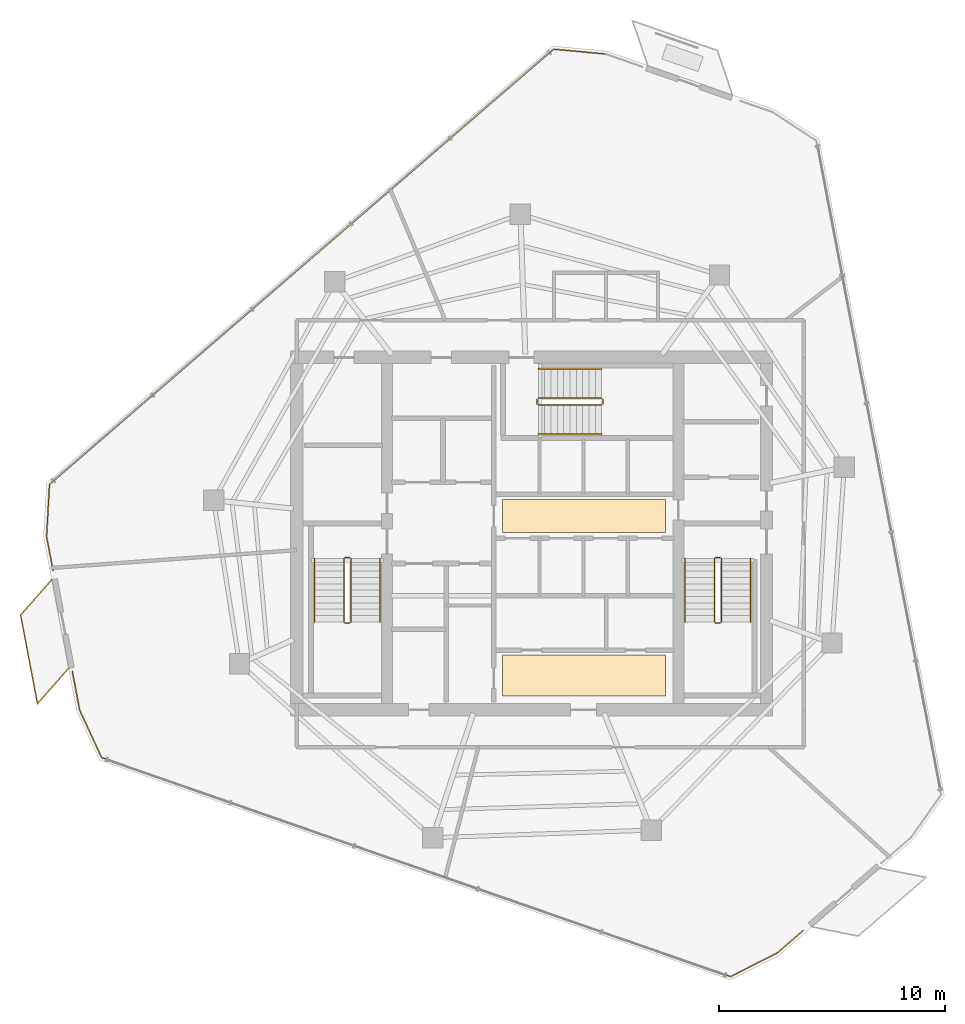
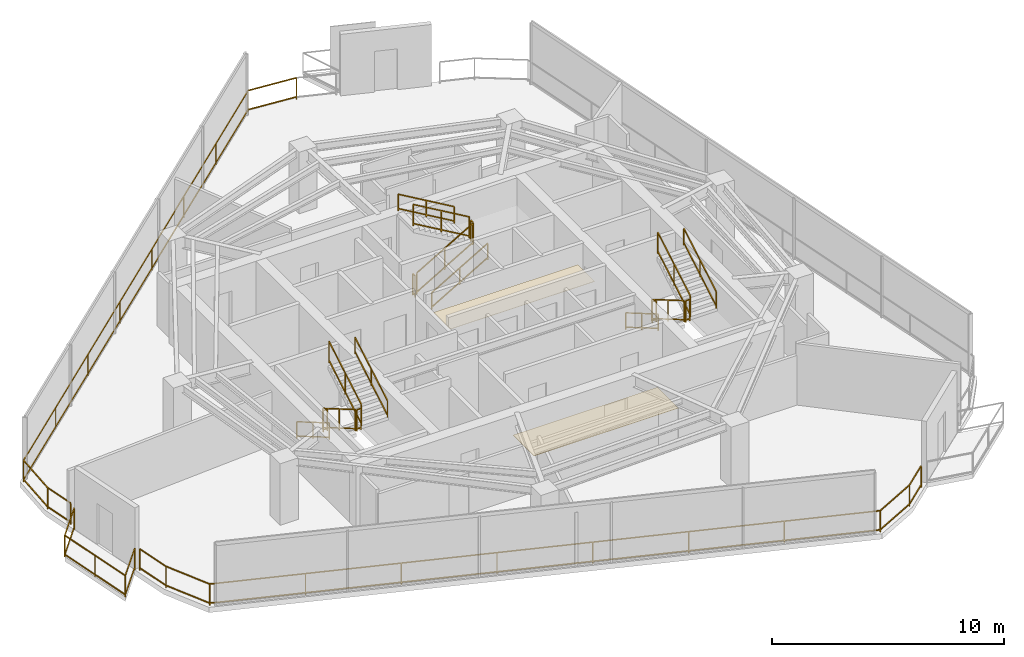
# One storey, part 17 of 18: 21 railings, 2 coverings.
"""IFC4 building model written with IfcOpenShell, lengths in metres."""

from ifc_helpers import new_model, si_unit, direction, frame, origin, origin_2d, place, context, subcontext, project, spatial, rectangle, extrude, material, layer, layer_set, type_object, element, save


model = new_model("IFC4")

# Units and contexts
model_context = context("Model", 3, precision=1e-05, world=origin(), true_north=direction((0.0, 1.0)))
body_context = subcontext(model_context, "Body", "Model", "MODEL_VIEW")
ifc_project = project(units=[si_unit("LENGTHUNIT", "METRE"), si_unit("AREAUNIT", "SQUARE_METRE"), si_unit("VOLUMEUNIT", "CUBIC_METRE"), si_unit("PLANEANGLEUNIT", "RADIAN"), si_unit("MASSUNIT", "GRAM", prefix="KILO")], contexts=[model_context])

# Site, building, storey
site_placement = place(None, origin())
site = spatial("IfcSite", under=ifc_project, at=site_placement, CompositionType="ELEMENT")
building_placement = place(site_placement, origin())
building = spatial("IfcBuilding", under=site, at=building_placement, Name="Qarnah Convention Tower", CompositionType="ELEMENT")
storey_placement = place(building_placement, frame((0.0, 0.0, 220.199951171875)))
storey = spatial("IfcBuildingStorey", under=building, at=storey_placement, Name="L59", CompositionType="ELEMENT", Elevation=220.199951171875)

# Coverings
ifc_material_1 = material(Name="Mineral fibre acoustic ceiling")
ifc_layer_1 = layer(ifc_material_1, 0.02001953125)
ifc_layer_set_1 = layer_set([ifc_layer_1], Name="Mineral fibre acoustic ceiling")
covering_type_1 = type_object("IfcCoveringType", Name="COV-CEIL-20", PredefinedType="CEILING", material=ifc_layer_set_1)
covering_1_placement = place(storey_placement, frame((39.52001953125, 27.179931640625, 2.2900390625), z_axis=(0.0, 0.0, 1.0), x_axis=(1.0, 0.0, 0.0)))
element("IfcCovering", 1, at=covering_1_placement, inside=storey, type_object=covering_type_1, Name="L59 lift lobby acoustic ceiling", PredefinedType="CEILING", context=body_context, shape_type="SweptSolid", body=[
    extrude(rectangle(XDim=7.199951171875, YDim=1.449951171875, at=origin_2d()), origin(), (0.0, 0.0, 1.0), 0.02001953125),
])
ifc_material_2 = material(Name="Porcelain stone floor tile", Category="masonry")
ifc_layer_2 = layer(ifc_material_2, 0.02001953125)
ifc_layer_set_2 = layer_set([ifc_layer_2], Name="Porcelain stone floor tile")
covering_type_2 = type_object("IfcCoveringType", Name="COV-FLOOR-20", PredefinedType="FLOORING", material=ifc_layer_set_2)
covering_2_placement = place(storey_placement, frame((39.52001953125, 20.1201171875, 0.0), z_axis=(0.0, 0.0, 1.0), x_axis=(1.0, 0.0, 0.0)))
element("IfcCovering", 2, at=covering_2_placement, inside=storey, type_object=covering_type_2, Name="L59 lift lobby porcelain stone flooring", PredefinedType="FLOORING", context=body_context, shape_type="SweptSolid", body=[
    extrude(rectangle(XDim=7.199951171875, YDim=1.800048828125, at=origin_2d()), origin(), (0.0, 0.0, 1.0), 0.02001953125),
])

# Railings
ifc_material_3 = material(Name="Black anodised aluminium", Category="aluminium")
railing_type_1 = type_object("IfcRailingType", Name="RL-EXT-GUARD-1150", PredefinedType="GUARDRAIL", material=ifc_material_3)
railing_1_placement = place(storey_placement, frame((49.22607421875, 8.8369140625, 0.0)))
element("IfcRailing", 3, at=railing_1_placement, inside=storey, type_object=railing_type_1, Name="L59 slab-edge perimeter safety guard 03", PredefinedType="GUARDRAIL", context=body_context, shape_type="SweptSolid", body=[
    extrude(rectangle(XDim=0.048095703125, YDim=0.048095703125, at=origin_2d()), frame((0.0, 0.0, 1.1259765625), z_axis=(-0.75688405486, -0.653549177567, 0.0), x_axis=(0.653549177567, -0.75688405486, 0.0)), (0.0, 0.0, 1.0), 1.528564453125),
    extrude(rectangle(XDim=0.048095703125, YDim=0.048095703125, at=origin_2d()), frame((0.0, 0.0, 0.1201171875), z_axis=(-0.75688405486, -0.653549177567, 0.0), x_axis=(0.653549177567, -0.75688405486, 0.0)), (0.0, 0.0, 1.0), 1.528564453125),
    extrude(rectangle(XDim=0.048095703125, YDim=0.048095703125, at=origin_2d()), frame((-1.156982421875, -0.9990234375, 1.1259765625), z_axis=(-0.892729619483, -0.450592750161, 0.0), x_axis=(0.450592750161, -0.892729619483, 0.0)), (0.0, 0.0, 1.0), 2.309814453125),
    extrude(rectangle(XDim=0.048095703125, YDim=0.048095703125, at=origin_2d()), frame((-1.156982421875, -0.9990234375, 0.1201171875), z_axis=(-0.892729619483, -0.450592750161, 0.0), x_axis=(0.450592750161, -0.892729619483, 0.0)), (0.0, 0.0, 1.0), 2.309814453125),
    extrude(rectangle(XDim=0.048095703125, YDim=0.048095703125, at=origin_2d()), frame((-3.218994140625, -2.039794921875, 1.1259765625), z_axis=(-0.944380758758, 0.328854044352, 0.0), x_axis=(-0.328854044352, -0.944380758758, 0.0)), (0.0, 0.0, 1.0), 29.4775390625),
    extrude(rectangle(XDim=0.048095703125, YDim=0.048095703125, at=origin_2d()), frame((-3.218994140625, -2.039794921875, 0.1201171875), z_axis=(-0.944380758758, 0.328854044352, 0.0), x_axis=(-0.328854044352, -0.944380758758, 0.0)), (0.0, 0.0, 1.0), 29.4775390625),
    extrude(rectangle(XDim=0.048095703125, YDim=0.048095703125, at=origin_2d()), frame((-31.05712890625, 7.654052734375, 1.1259765625), z_axis=(-0.419641409792, 0.907689973057, 0.0), x_axis=(-0.907689973057, -0.419641409792, 0.0)), (0.0, 0.0, 1.0), 2.30908203125),
    extrude(rectangle(XDim=0.048095703125, YDim=0.048095703125, at=origin_2d()), frame((-31.05712890625, 7.654052734375, 0.1201171875), z_axis=(-0.419641409792, 0.907689973057, 0.0), x_axis=(-0.907689973057, -0.419641409792, 0.0)), (0.0, 0.0, 1.0), 2.30908203125),
    extrude(rectangle(XDim=0.048095703125, YDim=0.048095703125, at=origin_2d()), frame((-32.026123046875, 9.75, 1.1259765625), z_axis=(-0.18733779449, 0.982295551632, 0.0), x_axis=(-0.982295551632, -0.18733779449, 0.0)), (0.0, 0.0, 1.0), 1.73974609375),
    extrude(rectangle(XDim=0.048095703125, YDim=0.048095703125, at=origin_2d()), frame((-32.026123046875, 9.75, 0.1201171875), z_axis=(-0.18733779449, 0.982295551632, 0.0), x_axis=(-0.982295551632, -0.18733779449, 0.0)), (0.0, 0.0, 1.0), 1.73974609375),
    extrude(rectangle(XDim=0.0419921875, YDim=0.0419921875, at=origin_2d()), origin(), (0.0, 0.0, 1.0), 1.101806640625),
    extrude(rectangle(XDim=0.0419921875, YDim=0.0419921875, at=origin_2d()), frame((-1.156982421875, -0.9990234375, 0.0)), (0.0, 0.0, 1.0), 1.101806640625),
    extrude(rectangle(XDim=0.0419921875, YDim=0.0419921875, at=origin_2d()), frame((-3.218994140625, -2.039794921875, 0.0)), (0.0, 0.0, 1.0), 1.101806640625),
    extrude(rectangle(XDim=0.0419921875, YDim=0.0419921875, at=origin_2d()), frame((-7.19580078125, -0.655029296875, 0.0)), (0.0, 0.0, 1.0), 1.101806640625),
    extrude(rectangle(XDim=0.0419921875, YDim=0.0419921875, at=origin_2d()), frame((-11.1728515625, 0.72998046875, 0.0)), (0.0, 0.0, 1.0), 1.101806640625),
    extrude(rectangle(XDim=0.0419921875, YDim=0.0419921875, at=origin_2d()), frame((-15.149658203125, 2.11474609375, 0.0)), (0.0, 0.0, 1.0), 1.101806640625),
    extrude(rectangle(XDim=0.0419921875, YDim=0.0419921875, at=origin_2d()), frame((-19.12646484375, 3.49951171875, 0.0)), (0.0, 0.0, 1.0), 1.101806640625),
    extrude(rectangle(XDim=0.0419921875, YDim=0.0419921875, at=origin_2d()), frame((-23.103271484375, 4.88427734375, 0.0)), (0.0, 0.0, 1.0), 1.101806640625),
    extrude(rectangle(XDim=0.0419921875, YDim=0.0419921875, at=origin_2d()), frame((-27.080322265625, 6.269287109375, 0.0)), (0.0, 0.0, 1.0), 1.101806640625),
    extrude(rectangle(XDim=0.0419921875, YDim=0.0419921875, at=origin_2d()), frame((-31.05712890625, 7.654052734375, 0.0)), (0.0, 0.0, 1.0), 1.101806640625),
    extrude(rectangle(XDim=0.0419921875, YDim=0.0419921875, at=origin_2d()), frame((-32.026123046875, 9.75, 0.0)), (0.0, 0.0, 1.0), 1.101806640625),
    extrude(rectangle(XDim=0.0419921875, YDim=0.0419921875, at=origin_2d()), frame((-32.35205078125, 11.458984375, 0.0)), (0.0, 0.0, 1.0), 1.101806640625),
])
railing_2_placement = place(storey_placement, frame((16.02001953125, 24.77392578125, 0.0)))
element("IfcRailing", 4, at=railing_2_placement, inside=storey, type_object=railing_type_1, Name="L59 slab-edge perimeter safety guard 04", PredefinedType="GUARDRAIL", context=body_context, shape_type="SweptSolid", body=[
    extrude(rectangle(XDim=0.048095703125, YDim=0.048095703125, at=origin_2d()), frame((0.0, 0.0, 1.1259765625), z_axis=(-0.187258947044, 0.982310585687, 0.0), x_axis=(-0.982310585687, -0.187258947044, 0.0)), (0.0, 0.0, 1.0), 1.528076171875),
    extrude(rectangle(XDim=0.048095703125, YDim=0.048095703125, at=origin_2d()), frame((0.0, 0.0, 0.1201171875), z_axis=(-0.187258947044, 0.982310585687, 0.0), x_axis=(-0.982310585687, -0.187258947044, 0.0)), (0.0, 0.0, 1.0), 1.528076171875),
    extrude(rectangle(XDim=0.048095703125, YDim=0.048095703125, at=origin_2d()), frame((-0.2861328125, 1.5009765625, 1.1259765625), z_axis=(0.055891333094, 0.998436857736, 0.0), x_axis=(-0.998436857736, 0.055891333094, 0.0)), (0.0, 0.0, 1.0), 2.310791015625),
    extrude(rectangle(XDim=0.048095703125, YDim=0.048095703125, at=origin_2d()), frame((-0.2861328125, 1.5009765625, 0.1201171875), z_axis=(0.055891333094, 0.998436857736, 0.0), x_axis=(-0.998436857736, 0.055891333094, 0.0)), (0.0, 0.0, 1.0), 2.310791015625),
    extrude(rectangle(XDim=0.048095703125, YDim=0.048095703125, at=origin_2d()), frame((-0.156982421875, 3.80810546875, 1.1259765625), z_axis=(0.756993569752, 0.653422325417, 0.0), x_axis=(-0.653422325417, 0.756993569752, 0.0)), (0.0, 0.0, 1.0), 29.47705078125),
    extrude(rectangle(XDim=0.048095703125, YDim=0.048095703125, at=origin_2d()), frame((-0.156982421875, 3.80810546875, 0.1201171875), z_axis=(0.756993569752, 0.653422325417, 0.0), x_axis=(-0.653422325417, 0.756993569752, 0.0)), (0.0, 0.0, 1.0), 29.47705078125),
    extrude(rectangle(XDim=0.048095703125, YDim=0.048095703125, at=origin_2d()), frame((22.156982421875, 23.069091796875, 1.1259765625), z_axis=(0.995859345732, -0.090907444786, 0.0), x_axis=(0.090907444786, 0.995859345732, 0.0)), (0.0, 0.0, 1.0), 2.3095703125),
    extrude(rectangle(XDim=0.048095703125, YDim=0.048095703125, at=origin_2d()), frame((22.156982421875, 23.069091796875, 0.1201171875), z_axis=(0.995859345732, -0.090907444786, 0.0), x_axis=(0.090907444786, 0.995859345732, 0.0)), (0.0, 0.0, 1.0), 2.3095703125),
    extrude(rectangle(XDim=0.0419921875, YDim=0.0419921875, at=origin_2d()), origin(), (0.0, 0.0, 1.0), 1.101806640625),
    extrude(rectangle(XDim=0.0419921875, YDim=0.0419921875, at=origin_2d()), frame((-0.2861328125, 1.5009765625, 0.0)), (0.0, 0.0, 1.0), 1.101806640625),
    extrude(rectangle(XDim=0.0419921875, YDim=0.0419921875, at=origin_2d()), frame((-0.156982421875, 3.80810546875, 0.0)), (0.0, 0.0, 1.0), 1.101806640625),
    extrude(rectangle(XDim=0.0419921875, YDim=0.0419921875, at=origin_2d()), frame((3.03076171875, 6.5595703125, 0.0)), (0.0, 0.0, 1.0), 1.101806640625),
    extrude(rectangle(XDim=0.0419921875, YDim=0.0419921875, at=origin_2d()), frame((6.218505859375, 9.311279296875, 0.0)), (0.0, 0.0, 1.0), 1.101806640625),
    extrude(rectangle(XDim=0.0419921875, YDim=0.0419921875, at=origin_2d()), frame((9.40625, 12.062744140625, 0.0)), (0.0, 0.0, 1.0), 1.101806640625),
    extrude(rectangle(XDim=0.0419921875, YDim=0.0419921875, at=origin_2d()), frame((12.59375, 14.814453125, 0.0)), (0.0, 0.0, 1.0), 1.101806640625),
    extrude(rectangle(XDim=0.0419921875, YDim=0.0419921875, at=origin_2d()), frame((15.781494140625, 17.56591796875, 0.0)), (0.0, 0.0, 1.0), 1.101806640625),
    extrude(rectangle(XDim=0.0419921875, YDim=0.0419921875, at=origin_2d()), frame((18.96923828125, 20.317626953125, 0.0)), (0.0, 0.0, 1.0), 1.101806640625),
    extrude(rectangle(XDim=0.0419921875, YDim=0.0419921875, at=origin_2d()), frame((22.156982421875, 23.069091796875, 0.0)), (0.0, 0.0, 1.0), 1.101806640625),
    extrude(rectangle(XDim=0.0419921875, YDim=0.0419921875, at=origin_2d()), frame((24.45703125, 22.859130859375, 0.0)), (0.0, 0.0, 1.0), 1.101806640625),
])
railing_3_placement = place(storey_placement, frame((16.7099609375, 20.44189453125, 0.0)))
element("IfcRailing", 5, at=railing_3_placement, inside=storey, type_object=railing_type_1, Name="L59 balcony safety guard BAL-L59-C2", PredefinedType="GUARDRAIL", context=body_context, shape_type="SweptSolid", body=[
    extrude(rectangle(XDim=0.048095703125, YDim=0.048095703125, at=origin_2d()), frame((0.0, 0.0, 1.1259765625), z_axis=(-0.658760368657, -0.752352827261, 0.0), x_axis=(0.752352827261, -0.658760368657, 0.0)), (0.0, 0.0, 1.0), 2.0947265625),
    extrude(rectangle(XDim=0.048095703125, YDim=0.048095703125, at=origin_2d()), frame((0.0, 0.0, 0.1201171875), z_axis=(-0.658760368657, -0.752352827261, 0.0), x_axis=(0.752352827261, -0.658760368657, 0.0)), (0.0, 0.0, 1.0), 2.0947265625),
    extrude(rectangle(XDim=0.048095703125, YDim=0.048095703125, at=origin_2d()), frame((-1.3798828125, -1.575927734375, 1.1259765625), z_axis=(-0.187269178691, 0.982308635161, 0.0), x_axis=(-0.982308635161, -0.187269178691, 0.0)), (0.0, 0.0, 1.0), 3.999755859375),
    extrude(rectangle(XDim=0.048095703125, YDim=0.048095703125, at=origin_2d()), frame((-1.3798828125, -1.575927734375, 0.1201171875), z_axis=(-0.187269178691, 0.982308635161, 0.0), x_axis=(-0.982308635161, -0.187269178691, 0.0)), (0.0, 0.0, 1.0), 3.999755859375),
    extrude(rectangle(XDim=0.048095703125, YDim=0.048095703125, at=origin_2d()), frame((-2.12890625, 2.35302734375, 1.1259765625), z_axis=(0.658438578251, 0.752634465508, 0.0), x_axis=(-0.752634465508, 0.658438578251, 0.0)), (0.0, 0.0, 1.0), 2.09423828125),
    extrude(rectangle(XDim=0.048095703125, YDim=0.048095703125, at=origin_2d()), frame((-2.12890625, 2.35302734375, 0.1201171875), z_axis=(0.658438578251, 0.752634465508, 0.0), x_axis=(-0.752634465508, 0.658438578251, 0.0)), (0.0, 0.0, 1.0), 2.09423828125),
    extrude(rectangle(XDim=0.0419921875, YDim=0.0419921875, at=origin_2d()), origin(), (0.0, 0.0, 1.0), 1.101806640625),
    extrude(rectangle(XDim=0.0419921875, YDim=0.0419921875, at=origin_2d()), frame((-1.3798828125, -1.575927734375, 0.0)), (0.0, 0.0, 1.0), 1.101806640625),
    extrude(rectangle(XDim=0.0419921875, YDim=0.0419921875, at=origin_2d()), frame((-1.75439453125, 0.388671875, 0.0)), (0.0, 0.0, 1.0), 1.101806640625),
    extrude(rectangle(XDim=0.0419921875, YDim=0.0419921875, at=origin_2d()), frame((-2.12890625, 2.35302734375, 0.0)), (0.0, 0.0, 1.0), 1.101806640625),
    extrude(rectangle(XDim=0.0419921875, YDim=0.0419921875, at=origin_2d()), frame((-0.75, 3.92919921875, 0.0)), (0.0, 0.0, 1.0), 1.101806640625),
])
ifc_material_4 = material(Name="Structural steel S355JR", Category="steel")
railing_type_2 = type_object("IfcRailingType", Name="RL-STAIR-GUARD-1150", PredefinedType="GUARDRAIL", material=ifc_material_4)
railing_4_placement = place(storey_placement, frame((28.89990234375, 25.300048828125, 0.16357421875)))
element("IfcRailing", 6, at=railing_4_placement, inside=storey, type_object=railing_type_2, Name="L59 ST-1 stair guard 1", PredefinedType="GUARDRAIL", context=body_context, shape_type="SweptSolid", body=[
    extrude(rectangle(XDim=0.048095703125, YDim=0.048095703125, at=origin_2d()), frame((0.0, 0.0, 1.1259765625), z_axis=(0.0, -0.863360870873, 0.504586966384), x_axis=(1.0, 0.0, 0.0)), (0.0, 0.0, 1.0), 3.2431640625),
    extrude(rectangle(XDim=0.048095703125, YDim=0.048095703125, at=origin_2d()), frame((0.0, 0.0, 0.1201171875), z_axis=(0.0, -0.863360870873, 0.504586966384), x_axis=(1.0, 0.0, 0.0)), (0.0, 0.0, 1.0), 3.2431640625),
    extrude(rectangle(XDim=0.0419921875, YDim=0.0419921875, at=origin_2d()), origin(), (0.0, 0.0, 1.0), 1.101806640625),
    extrude(rectangle(XDim=0.0419921875, YDim=0.0419921875, at=origin_2d()), frame((0.0, -1.39990234375, 0.818359375)), (0.0, 0.0, 1.0), 1.101806640625),
    extrude(rectangle(XDim=0.0419921875, YDim=0.0419921875, at=origin_2d()), frame((0.0, -2.800048828125, 1.636474609375)), (0.0, 0.0, 1.0), 1.101806640625),
])
railing_5_placement = place(storey_placement, frame((28.949951171875, 22.449951171875, 1.800048828125)))
element("IfcRailing", 7, at=railing_5_placement, inside=storey, type_object=railing_type_2, Name="L59 ST-1 stair guard 2", PredefinedType="GUARDRAIL", context=body_context, shape_type="SweptSolid", body=[
    extrude(rectangle(XDim=0.048095703125, YDim=0.048095703125, at=origin_2d()), frame((0.0, 0.0, 1.1259765625), z_axis=(1.0, 0.0, 0.0), x_axis=(0.0, 1.0, 0.0)), (0.0, 0.0, 1.0), 0.199951171875),
    extrude(rectangle(XDim=0.048095703125, YDim=0.048095703125, at=origin_2d()), frame((0.0, 0.0, 0.1201171875), z_axis=(1.0, 0.0, 0.0), x_axis=(0.0, 1.0, 0.0)), (0.0, 0.0, 1.0), 0.199951171875),
    extrude(rectangle(XDim=0.0419921875, YDim=0.0419921875, at=origin_2d()), origin(), (0.0, 0.0, 1.0), 1.101806640625),
    extrude(rectangle(XDim=0.0419921875, YDim=0.0419921875, at=origin_2d()), frame((0.199951171875, 0.0, 0.0)), (0.0, 0.0, 1.0), 1.101806640625),
])
railing_6_placement = place(storey_placement, frame((29.199951171875, 22.5, 1.963623046875)))
element("IfcRailing", 8, at=railing_6_placement, inside=storey, type_object=railing_type_2, Name="L59 ST-1 stair guard 3", PredefinedType="GUARDRAIL", context=body_context, shape_type="SweptSolid", body=[
    extrude(rectangle(XDim=0.048095703125, YDim=0.048095703125, at=origin_2d()), frame((0.0, 0.0, 1.1259765625), z_axis=(0.0, 0.863360870873, 0.504586966384), x_axis=(-1.0, 0.0, 0.0)), (0.0, 0.0, 1.0), 3.2431640625),
    extrude(rectangle(XDim=0.048095703125, YDim=0.048095703125, at=origin_2d()), frame((0.0, 0.0, 0.1201171875), z_axis=(0.0, 0.863360870873, 0.504586966384), x_axis=(-1.0, 0.0, 0.0)), (0.0, 0.0, 1.0), 3.2431640625),
    extrude(rectangle(XDim=0.0419921875, YDim=0.0419921875, at=origin_2d()), origin(), (0.0, 0.0, 1.0), 1.101806640625),
    extrude(rectangle(XDim=0.0419921875, YDim=0.0419921875, at=origin_2d()), frame((0.0, 1.39990234375, 0.818359375)), (0.0, 0.0, 1.0), 1.101806640625),
    extrude(rectangle(XDim=0.0419921875, YDim=0.0419921875, at=origin_2d()), frame((0.0, 2.800048828125, 1.636474609375)), (0.0, 0.0, 1.0), 1.101806640625),
])
railing_7_placement = place(storey_placement, frame((28.949951171875, 25.35009765625, 0.0)))
element("IfcRailing", 9, at=railing_7_placement, inside=storey, type_object=railing_type_2, Name="L59 ST-1 stair guard 4", PredefinedType="GUARDRAIL", context=body_context, shape_type="SweptSolid", body=[
    extrude(rectangle(XDim=0.048095703125, YDim=0.048095703125, at=origin_2d()), frame((0.0, 0.0, 1.1259765625), z_axis=(1.0, 0.0, 0.0), x_axis=(0.0, 1.0, 0.0)), (0.0, 0.0, 1.0), 0.199951171875),
    extrude(rectangle(XDim=0.048095703125, YDim=0.048095703125, at=origin_2d()), frame((0.0, 0.0, 0.1201171875), z_axis=(1.0, 0.0, 0.0), x_axis=(0.0, 1.0, 0.0)), (0.0, 0.0, 1.0), 0.199951171875),
    extrude(rectangle(XDim=0.0419921875, YDim=0.0419921875, at=origin_2d()), origin(), (0.0, 0.0, 1.0), 1.101806640625),
    extrude(rectangle(XDim=0.0419921875, YDim=0.0419921875, at=origin_2d()), frame((0.199951171875, 0.0, 0.0)), (0.0, 0.0, 1.0), 1.101806640625),
])
railing_8_placement = place(storey_placement, frame((45.300048828125, 25.300048828125, 0.16357421875)))
element("IfcRailing", 10, at=railing_8_placement, inside=storey, type_object=railing_type_2, Name="L59 ST-2 stair guard 1", PredefinedType="GUARDRAIL", context=body_context, shape_type="SweptSolid", body=[
    extrude(rectangle(XDim=0.048095703125, YDim=0.048095703125, at=origin_2d()), frame((0.0, 0.0, 1.1259765625), z_axis=(0.0, -0.863360870873, 0.504586966384), x_axis=(1.0, 0.0, 0.0)), (0.0, 0.0, 1.0), 3.2431640625),
    extrude(rectangle(XDim=0.048095703125, YDim=0.048095703125, at=origin_2d()), frame((0.0, 0.0, 0.1201171875), z_axis=(0.0, -0.863360870873, 0.504586966384), x_axis=(1.0, 0.0, 0.0)), (0.0, 0.0, 1.0), 3.2431640625),
    extrude(rectangle(XDim=0.0419921875, YDim=0.0419921875, at=origin_2d()), origin(), (0.0, 0.0, 1.0), 1.101806640625),
    extrude(rectangle(XDim=0.0419921875, YDim=0.0419921875, at=origin_2d()), frame((0.0, -1.39990234375, 0.818359375)), (0.0, 0.0, 1.0), 1.101806640625),
    extrude(rectangle(XDim=0.0419921875, YDim=0.0419921875, at=origin_2d()), frame((0.0, -2.800048828125, 1.636474609375)), (0.0, 0.0, 1.0), 1.101806640625),
])
railing_9_placement = place(storey_placement, frame((45.35009765625, 22.449951171875, 1.800048828125)))
element("IfcRailing", 11, at=railing_9_placement, inside=storey, type_object=railing_type_2, Name="L59 ST-2 stair guard 2", PredefinedType="GUARDRAIL", context=body_context, shape_type="SweptSolid", body=[
    extrude(rectangle(XDim=0.048095703125, YDim=0.048095703125, at=origin_2d()), frame((0.0, 0.0, 1.1259765625), z_axis=(1.0, 0.0, 0.0), x_axis=(0.0, 1.0, 0.0)), (0.0, 0.0, 1.0), 0.199951171875),
    extrude(rectangle(XDim=0.048095703125, YDim=0.048095703125, at=origin_2d()), frame((0.0, 0.0, 0.1201171875), z_axis=(1.0, 0.0, 0.0), x_axis=(0.0, 1.0, 0.0)), (0.0, 0.0, 1.0), 0.199951171875),
    extrude(rectangle(XDim=0.0419921875, YDim=0.0419921875, at=origin_2d()), origin(), (0.0, 0.0, 1.0), 1.101806640625),
    extrude(rectangle(XDim=0.0419921875, YDim=0.0419921875, at=origin_2d()), frame((0.199951171875, 0.0, 0.0)), (0.0, 0.0, 1.0), 1.101806640625),
])
railing_10_placement = place(storey_placement, frame((45.60009765625, 22.5, 1.963623046875)))
element("IfcRailing", 12, at=railing_10_placement, inside=storey, type_object=railing_type_2, Name="L59 ST-2 stair guard 3", PredefinedType="GUARDRAIL", context=body_context, shape_type="SweptSolid", body=[
    extrude(rectangle(XDim=0.048095703125, YDim=0.048095703125, at=origin_2d()), frame((0.0, 0.0, 1.1259765625), z_axis=(0.0, 0.863360870873, 0.504586966384), x_axis=(-1.0, 0.0, 0.0)), (0.0, 0.0, 1.0), 3.2431640625),
    extrude(rectangle(XDim=0.048095703125, YDim=0.048095703125, at=origin_2d()), frame((0.0, 0.0, 0.1201171875), z_axis=(0.0, 0.863360870873, 0.504586966384), x_axis=(-1.0, 0.0, 0.0)), (0.0, 0.0, 1.0), 3.2431640625),
    extrude(rectangle(XDim=0.0419921875, YDim=0.0419921875, at=origin_2d()), origin(), (0.0, 0.0, 1.0), 1.101806640625),
    extrude(rectangle(XDim=0.0419921875, YDim=0.0419921875, at=origin_2d()), frame((0.0, 1.39990234375, 0.818359375)), (0.0, 0.0, 1.0), 1.101806640625),
    extrude(rectangle(XDim=0.0419921875, YDim=0.0419921875, at=origin_2d()), frame((0.0, 2.800048828125, 1.636474609375)), (0.0, 0.0, 1.0), 1.101806640625),
])
railing_11_placement = place(storey_placement, frame((45.35009765625, 25.35009765625, 0.0)))
element("IfcRailing", 13, at=railing_11_placement, inside=storey, type_object=railing_type_2, Name="L59 ST-2 stair guard 4", PredefinedType="GUARDRAIL", context=body_context, shape_type="SweptSolid", body=[
    extrude(rectangle(XDim=0.048095703125, YDim=0.048095703125, at=origin_2d()), frame((0.0, 0.0, 1.1259765625), z_axis=(1.0, 0.0, 0.0), x_axis=(0.0, 1.0, 0.0)), (0.0, 0.0, 1.0), 0.199951171875),
    extrude(rectangle(XDim=0.048095703125, YDim=0.048095703125, at=origin_2d()), frame((0.0, 0.0, 0.1201171875), z_axis=(1.0, 0.0, 0.0), x_axis=(0.0, 1.0, 0.0)), (0.0, 0.0, 1.0), 0.199951171875),
    extrude(rectangle(XDim=0.0419921875, YDim=0.0419921875, at=origin_2d()), origin(), (0.0, 0.0, 1.0), 1.101806640625),
    extrude(rectangle(XDim=0.0419921875, YDim=0.0419921875, at=origin_2d()), frame((0.199951171875, 0.0, 0.0)), (0.0, 0.0, 1.0), 1.101806640625),
])
railing_12_placement = place(storey_placement, frame((37.5, 32.10009765625, 0.16357421875)))
element("IfcRailing", 14, at=railing_12_placement, inside=storey, type_object=railing_type_2, Name="L59 ST-3 stair guard 1", PredefinedType="GUARDRAIL", context=body_context, shape_type="SweptSolid", body=[
    extrude(rectangle(XDim=0.048095703125, YDim=0.048095703125, at=origin_2d()), frame((0.0, 0.0, 1.1259765625), z_axis=(0.863360870873, 0.0, 0.504586966384), x_axis=(0.0, 1.0, 0.0)), (0.0, 0.0, 1.0), 3.2431640625),
    extrude(rectangle(XDim=0.048095703125, YDim=0.048095703125, at=origin_2d()), frame((0.0, 0.0, 0.1201171875), z_axis=(0.863360870873, 0.0, 0.504586966384), x_axis=(0.0, 1.0, 0.0)), (0.0, 0.0, 1.0), 3.2431640625),
    extrude(rectangle(XDim=0.0419921875, YDim=0.0419921875, at=origin_2d()), origin(), (0.0, 0.0, 1.0), 1.101806640625),
    extrude(rectangle(XDim=0.0419921875, YDim=0.0419921875, at=origin_2d()), frame((1.39990234375, 0.0, 0.818359375)), (0.0, 0.0, 1.0), 1.101806640625),
    extrude(rectangle(XDim=0.0419921875, YDim=0.0419921875, at=origin_2d()), frame((2.800048828125, 0.0, 1.636474609375)), (0.0, 0.0, 1.0), 1.101806640625),
])
railing_13_placement = place(storey_placement, frame((40.35009765625, 32.14990234375, 1.800048828125)))
element("IfcRailing", 15, at=railing_13_placement, inside=storey, type_object=railing_type_2, Name="L59 ST-3 stair guard 2", PredefinedType="GUARDRAIL", context=body_context, shape_type="SweptSolid", body=[
    extrude(rectangle(XDim=0.048095703125, YDim=0.048095703125, at=origin_2d()), frame((0.0, 0.0, 1.1259765625), z_axis=(0.0, 1.0, 0.0), x_axis=(-1.0, 0.0, 0.0)), (0.0, 0.0, 1.0), 0.2001953125),
    extrude(rectangle(XDim=0.048095703125, YDim=0.048095703125, at=origin_2d()), frame((0.0, 0.0, 0.1201171875), z_axis=(0.0, 1.0, 0.0), x_axis=(-1.0, 0.0, 0.0)), (0.0, 0.0, 1.0), 0.2001953125),
    extrude(rectangle(XDim=0.0419921875, YDim=0.0419921875, at=origin_2d()), origin(), (0.0, 0.0, 1.0), 1.101806640625),
    extrude(rectangle(XDim=0.0419921875, YDim=0.0419921875, at=origin_2d()), frame((0.0, 0.2001953125, 0.0)), (0.0, 0.0, 1.0), 1.101806640625),
])
railing_14_placement = place(storey_placement, frame((40.300048828125, 32.39990234375, 1.963623046875)))
element("IfcRailing", 16, at=railing_14_placement, inside=storey, type_object=railing_type_2, Name="L59 ST-3 stair guard 3", PredefinedType="GUARDRAIL", context=body_context, shape_type="SweptSolid", body=[
    extrude(rectangle(XDim=0.048095703125, YDim=0.048095703125, at=origin_2d()), frame((0.0, 0.0, 1.1259765625), z_axis=(-0.863360870873, 0.0, 0.504586966384), x_axis=(0.0, -1.0, 0.0)), (0.0, 0.0, 1.0), 3.2431640625),
    extrude(rectangle(XDim=0.048095703125, YDim=0.048095703125, at=origin_2d()), frame((0.0, 0.0, 0.1201171875), z_axis=(-0.863360870873, 0.0, 0.504586966384), x_axis=(0.0, -1.0, 0.0)), (0.0, 0.0, 1.0), 3.2431640625),
    extrude(rectangle(XDim=0.0419921875, YDim=0.0419921875, at=origin_2d()), origin(), (0.0, 0.0, 1.0), 1.101806640625),
    extrude(rectangle(XDim=0.0419921875, YDim=0.0419921875, at=origin_2d()), frame((-1.39990234375, 0.0, 0.818359375)), (0.0, 0.0, 1.0), 1.101806640625),
    extrude(rectangle(XDim=0.0419921875, YDim=0.0419921875, at=origin_2d()), frame((-2.800048828125, 0.0, 1.636474609375)), (0.0, 0.0, 1.0), 1.101806640625),
])
railing_15_placement = place(storey_placement, frame((37.449951171875, 32.14990234375, 0.0)))
element("IfcRailing", 17, at=railing_15_placement, inside=storey, type_object=railing_type_2, Name="L59 ST-3 stair guard 4", PredefinedType="GUARDRAIL", context=body_context, shape_type="SweptSolid", body=[
    extrude(rectangle(XDim=0.048095703125, YDim=0.048095703125, at=origin_2d()), frame((0.0, 0.0, 1.1259765625), z_axis=(0.0, 1.0, 0.0), x_axis=(-1.0, 0.0, 0.0)), (0.0, 0.0, 1.0), 0.2001953125),
    extrude(rectangle(XDim=0.048095703125, YDim=0.048095703125, at=origin_2d()), frame((0.0, 0.0, 0.1201171875), z_axis=(0.0, 1.0, 0.0), x_axis=(-1.0, 0.0, 0.0)), (0.0, 0.0, 1.0), 0.2001953125),
    extrude(rectangle(XDim=0.0419921875, YDim=0.0419921875, at=origin_2d()), origin(), (0.0, 0.0, 1.0), 1.101806640625),
    extrude(rectangle(XDim=0.0419921875, YDim=0.0419921875, at=origin_2d()), frame((0.0, 0.2001953125, 0.0)), (0.0, 0.0, 1.0), 1.101806640625),
])
railing_type_3 = type_object("IfcRailingType", Name="RL-STAIR-HAND-900", PredefinedType="HANDRAIL", material=ifc_material_4)
railing_16_placement = place(storey_placement, frame((27.60009765625, 25.300048828125, 0.16357421875)))
element("IfcRailing", 18, at=railing_16_placement, inside=storey, type_object=railing_type_3, Name="L59 ST-1 stair handrail 1", PredefinedType="HANDRAIL", context=body_context, shape_type="SweptSolid", body=[
    extrude(rectangle(XDim=0.048095703125, YDim=0.048095703125, at=origin_2d()), frame((0.0, 0.0, 0.8759765625), z_axis=(0.0, -0.863360870873, 0.504586966384), x_axis=(1.0, 0.0, 0.0)), (0.0, 0.0, 1.0), 3.2431640625),
    extrude(rectangle(XDim=0.048095703125, YDim=0.048095703125, at=origin_2d()), frame((0.0, 0.0, 0.1201171875), z_axis=(0.0, -0.863360870873, 0.504586966384), x_axis=(1.0, 0.0, 0.0)), (0.0, 0.0, 1.0), 3.2431640625),
    extrude(rectangle(XDim=0.0419921875, YDim=0.0419921875, at=origin_2d()), origin(), (0.0, 0.0, 1.0), 0.851806640625),
    extrude(rectangle(XDim=0.0419921875, YDim=0.0419921875, at=origin_2d()), frame((0.0, -1.39990234375, 0.818359375)), (0.0, 0.0, 1.0), 0.851806640625),
    extrude(rectangle(XDim=0.0419921875, YDim=0.0419921875, at=origin_2d()), frame((0.0, -2.800048828125, 1.636474609375)), (0.0, 0.0, 1.0), 0.851806640625),
])
railing_17_placement = place(storey_placement, frame((30.5, 22.5, 1.963623046875)))
element("IfcRailing", 19, at=railing_17_placement, inside=storey, type_object=railing_type_3, Name="L59 ST-1 stair handrail 2", PredefinedType="HANDRAIL", context=body_context, shape_type="SweptSolid", body=[
    extrude(rectangle(XDim=0.048095703125, YDim=0.048095703125, at=origin_2d()), frame((0.0, 0.0, 0.8759765625), z_axis=(0.0, 0.863360870873, 0.504586966384), x_axis=(-1.0, 0.0, 0.0)), (0.0, 0.0, 1.0), 3.2431640625),
    extrude(rectangle(XDim=0.048095703125, YDim=0.048095703125, at=origin_2d()), frame((0.0, 0.0, 0.1201171875), z_axis=(0.0, 0.863360870873, 0.504586966384), x_axis=(-1.0, 0.0, 0.0)), (0.0, 0.0, 1.0), 3.2431640625),
    extrude(rectangle(XDim=0.0419921875, YDim=0.0419921875, at=origin_2d()), origin(), (0.0, 0.0, 1.0), 0.851806640625),
    extrude(rectangle(XDim=0.0419921875, YDim=0.0419921875, at=origin_2d()), frame((0.0, 1.39990234375, 0.818359375)), (0.0, 0.0, 1.0), 0.851806640625),
    extrude(rectangle(XDim=0.0419921875, YDim=0.0419921875, at=origin_2d()), frame((0.0, 2.800048828125, 1.636474609375)), (0.0, 0.0, 1.0), 0.851806640625),
])
railing_18_placement = place(storey_placement, frame((44.0, 25.300048828125, 0.16357421875)))
element("IfcRailing", 20, at=railing_18_placement, inside=storey, type_object=railing_type_3, Name="L59 ST-2 stair handrail 1", PredefinedType="HANDRAIL", context=body_context, shape_type="SweptSolid", body=[
    extrude(rectangle(XDim=0.048095703125, YDim=0.048095703125, at=origin_2d()), frame((0.0, 0.0, 0.8759765625), z_axis=(0.0, -0.863360870873, 0.504586966384), x_axis=(1.0, 0.0, 0.0)), (0.0, 0.0, 1.0), 3.2431640625),
    extrude(rectangle(XDim=0.048095703125, YDim=0.048095703125, at=origin_2d()), frame((0.0, 0.0, 0.1201171875), z_axis=(0.0, -0.863360870873, 0.504586966384), x_axis=(1.0, 0.0, 0.0)), (0.0, 0.0, 1.0), 3.2431640625),
    extrude(rectangle(XDim=0.0419921875, YDim=0.0419921875, at=origin_2d()), origin(), (0.0, 0.0, 1.0), 0.851806640625),
    extrude(rectangle(XDim=0.0419921875, YDim=0.0419921875, at=origin_2d()), frame((0.0, -1.39990234375, 0.818359375)), (0.0, 0.0, 1.0), 0.851806640625),
    extrude(rectangle(XDim=0.0419921875, YDim=0.0419921875, at=origin_2d()), frame((0.0, -2.800048828125, 1.636474609375)), (0.0, 0.0, 1.0), 0.851806640625),
])
railing_19_placement = place(storey_placement, frame((46.89990234375, 22.5, 1.963623046875)))
element("IfcRailing", 21, at=railing_19_placement, inside=storey, type_object=railing_type_3, Name="L59 ST-2 stair handrail 2", PredefinedType="HANDRAIL", context=body_context, shape_type="SweptSolid", body=[
    extrude(rectangle(XDim=0.048095703125, YDim=0.048095703125, at=origin_2d()), frame((0.0, 0.0, 0.8759765625), z_axis=(0.0, 0.863360870873, 0.504586966384), x_axis=(-1.0, 0.0, 0.0)), (0.0, 0.0, 1.0), 3.2431640625),
    extrude(rectangle(XDim=0.048095703125, YDim=0.048095703125, at=origin_2d()), frame((0.0, 0.0, 0.1201171875), z_axis=(0.0, 0.863360870873, 0.504586966384), x_axis=(-1.0, 0.0, 0.0)), (0.0, 0.0, 1.0), 3.2431640625),
    extrude(rectangle(XDim=0.0419921875, YDim=0.0419921875, at=origin_2d()), origin(), (0.0, 0.0, 1.0), 0.851806640625),
    extrude(rectangle(XDim=0.0419921875, YDim=0.0419921875, at=origin_2d()), frame((0.0, 1.39990234375, 0.818359375)), (0.0, 0.0, 1.0), 0.851806640625),
    extrude(rectangle(XDim=0.0419921875, YDim=0.0419921875, at=origin_2d()), frame((0.0, 2.800048828125, 1.636474609375)), (0.0, 0.0, 1.0), 0.851806640625),
])
railing_20_placement = place(storey_placement, frame((37.5, 30.800048828125, 0.16357421875)))
element("IfcRailing", 22, at=railing_20_placement, inside=storey, type_object=railing_type_3, Name="L59 ST-3 stair handrail 1", PredefinedType="HANDRAIL", context=body_context, shape_type="SweptSolid", body=[
    extrude(rectangle(XDim=0.048095703125, YDim=0.048095703125, at=origin_2d()), frame((0.0, 0.0, 0.8759765625), z_axis=(0.863360870873, 0.0, 0.504586966384), x_axis=(0.0, 1.0, 0.0)), (0.0, 0.0, 1.0), 3.2431640625),
    extrude(rectangle(XDim=0.048095703125, YDim=0.048095703125, at=origin_2d()), frame((0.0, 0.0, 0.1201171875), z_axis=(0.863360870873, 0.0, 0.504586966384), x_axis=(0.0, 1.0, 0.0)), (0.0, 0.0, 1.0), 3.2431640625),
    extrude(rectangle(XDim=0.0419921875, YDim=0.0419921875, at=origin_2d()), origin(), (0.0, 0.0, 1.0), 0.851806640625),
    extrude(rectangle(XDim=0.0419921875, YDim=0.0419921875, at=origin_2d()), frame((1.39990234375, 0.0, 0.818359375)), (0.0, 0.0, 1.0), 0.851806640625),
    extrude(rectangle(XDim=0.0419921875, YDim=0.0419921875, at=origin_2d()), frame((2.800048828125, 0.0, 1.636474609375)), (0.0, 0.0, 1.0), 0.851806640625),
])
railing_21_placement = place(storey_placement, frame((40.300048828125, 33.699951171875, 1.963623046875)))
element("IfcRailing", 23, at=railing_21_placement, inside=storey, type_object=railing_type_3, Name="L59 ST-3 stair handrail 2", PredefinedType="HANDRAIL", context=body_context, shape_type="SweptSolid", body=[
    extrude(rectangle(XDim=0.048095703125, YDim=0.048095703125, at=origin_2d()), frame((0.0, 0.0, 0.8759765625), z_axis=(-0.863360870873, 0.0, 0.504586966384), x_axis=(0.0, -1.0, 0.0)), (0.0, 0.0, 1.0), 3.2431640625),
    extrude(rectangle(XDim=0.048095703125, YDim=0.048095703125, at=origin_2d()), frame((0.0, 0.0, 0.1201171875), z_axis=(-0.863360870873, 0.0, 0.504586966384), x_axis=(0.0, -1.0, 0.0)), (0.0, 0.0, 1.0), 3.2431640625),
    extrude(rectangle(XDim=0.0419921875, YDim=0.0419921875, at=origin_2d()), origin(), (0.0, 0.0, 1.0), 0.851806640625),
    extrude(rectangle(XDim=0.0419921875, YDim=0.0419921875, at=origin_2d()), frame((-1.39990234375, 0.0, 0.818359375)), (0.0, 0.0, 1.0), 0.851806640625),
    extrude(rectangle(XDim=0.0419921875, YDim=0.0419921875, at=origin_2d()), frame((-2.800048828125, 0.0, 1.636474609375)), (0.0, 0.0, 1.0), 0.851806640625),
])

save(model, "model.ifc")
